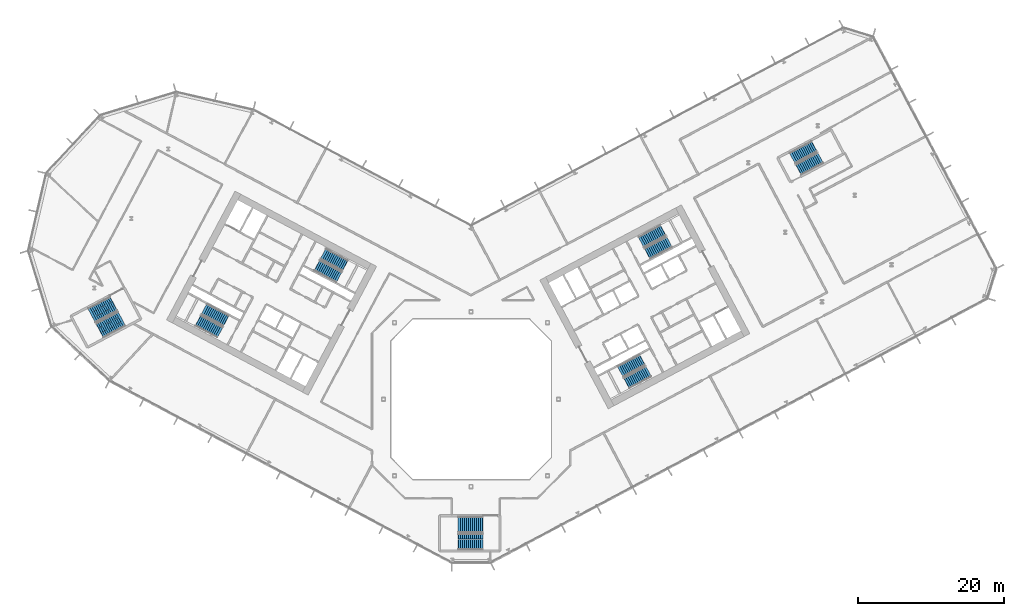
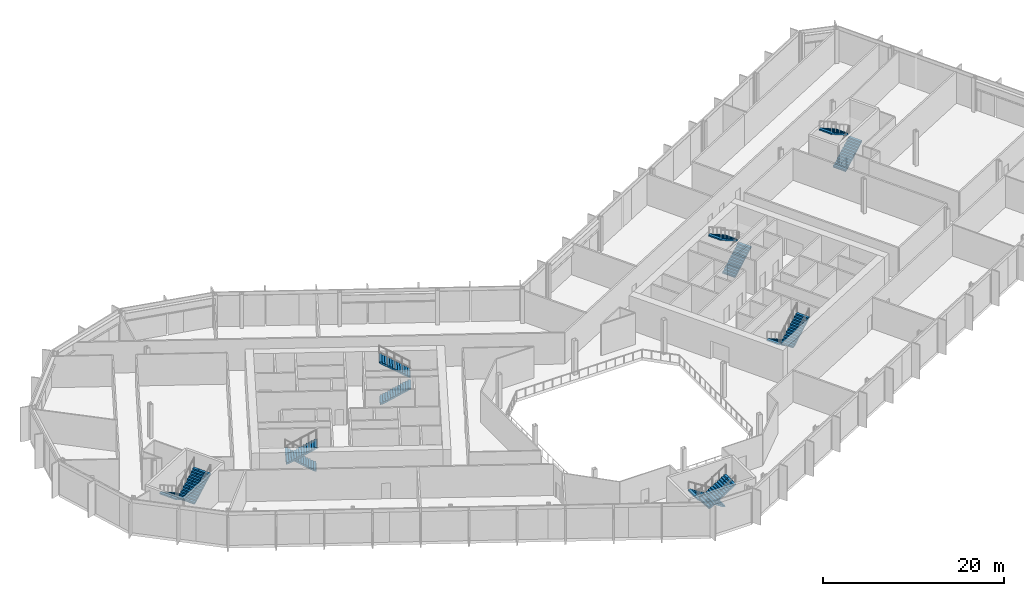
# One storey, part 20 of 31: 14 stair flights, 7 elements without a shape of their own.
"""IFC4 building model written with IfcOpenShell, lengths in metres."""

from ifc_helpers import new_model, si_unit, direction, frame, origin, place, context, subcontext, project, spatial, polyline, outline, extrude, material, type_object, element, aggregate, save


model = new_model("IFC4")

# Units and contexts
model_context = context("Model", 3, precision=1e-05, world=origin(), true_north=direction((0.0, 1.0)))
body_context = subcontext(model_context, "Body", "Model", "MODEL_VIEW")
ifc_project = project(units=[si_unit("LENGTHUNIT", "METRE"), si_unit("AREAUNIT", "SQUARE_METRE"), si_unit("VOLUMEUNIT", "CUBIC_METRE"), si_unit("PLANEANGLEUNIT", "RADIAN"), si_unit("MASSUNIT", "GRAM", prefix="KILO")], contexts=[model_context])

# Site, building, storey
site_placement = place(None, origin())
site = spatial("IfcSite", under=ifc_project, at=site_placement, CompositionType="ELEMENT")
building_placement = place(site_placement, origin())
building = spatial("IfcBuilding", under=site, at=building_placement, Name="Cormorant Relay Tower", CompositionType="ELEMENT")
storey_placement = place(building_placement, frame((0.0, 0.0, 103.0)))
storey = spatial("IfcBuildingStorey", under=building, at=storey_placement, Name="L20", CompositionType="ELEMENT", Elevation=103.0)

# Stair, stair flights
ifc_material_1 = material(Name="Concrete 40 MPa", Category="concrete")
stair_type_1 = type_object("IfcStairType", Name="Exit stair 1500", PredefinedType="HALF_TURN_STAIR", material=ifc_material_1)
stair_1_placement = place(storey_placement, origin())
stair_1 = element("IfcStair", 1, at=stair_1_placement, inside=storey, type_object=stair_type_1, Name="L20 Stair", PredefinedType="HALF_TURN_STAIR")
ifc_material_2 = material(Name="Concrete 40 MPa", Category="concrete")
stair_flight_type_1 = type_object("IfcStairFlightType", Name="Exit stair flight 1650", PredefinedType="STRAIGHT", material=ifc_material_2)
stair_flight_1_placement = place(storey_placement, frame((-21.114501953125, 18.33349609375, 0.0), z_axis=(0.0, 0.0, 1.0), x_axis=(0.882947592859, -0.469471562786, 0.0)))
stair_flight_1 = element("IfcStairFlight", 2, at=stair_flight_1_placement, type_object=stair_flight_type_1, Name="A1 flight 1", NumberOfRisers=13, NumberOfTreads=12, PredefinedType="STRAIGHT", RiserHeight=0.176923077, TreadLength=0.28, context=body_context, shape_type="SweptSolid", body=[
    extrude(outline(polyline([(-0.050048828125, -0.080078125), (-0.050048828125, 0.0), (0.0, 0.0), (0.0, 0.177001953125), (0.280029296875, 0.177001953125), (0.280029296875, 0.353759765625), (0.56005859375, 0.353759765625), (0.56005859375, 0.53076171875), (0.840087890625, 0.53076171875), (0.840087890625, 0.707763671875), (1.1201171875, 0.707763671875), (1.1201171875, 0.884521484375), (1.39990234375, 0.884521484375), (1.39990234375, 1.0615234375), (1.679931640625, 1.0615234375), (1.679931640625, 1.238525390625), (1.9599609375, 1.238525390625), (1.9599609375, 1.415283203125), (2.239990234375, 1.415283203125), (2.239990234375, 1.59228515625), (2.52001953125, 1.59228515625), (2.52001953125, 1.769287109375), (2.800048828125, 1.769287109375), (2.800048828125, 1.946044921875), (3.080078125, 1.946044921875), (3.080078125, 2.123046875), (3.360107421875, 2.123046875), (3.41015625, 2.123046875), (3.41015625, 1.94580078125), (3.360107421875, 1.94580078125), (0.280517578125, 0.0), (-0.050048828125, -0.080078125)])), frame((0.0, 0.824951171875, 0.0), z_axis=(0.0, -1.0, 0.0), x_axis=(1.0, 0.0, 0.0)), (0.0, 0.0, 1.0), 1.64990234375),
])
stair_flight_2_placement = place(storey_placement, frame((-17.302734375, 18.345458984375, 2.300048828125), z_axis=(0.0, 0.0, 1.0), x_axis=(-0.882947592859, 0.469471562786, 0.0)))
stair_flight_2 = element("IfcStairFlight", 3, at=stair_flight_2_placement, type_object=stair_flight_type_1, Name="A1 flight 2", NumberOfRisers=13, NumberOfTreads=12, PredefinedType="STRAIGHT", RiserHeight=0.176923077, TreadLength=0.28, context=body_context, shape_type="SweptSolid", body=[
    extrude(outline(polyline([(-0.050048828125, -0.080078125), (-0.050048828125, 0.0), (0.0, 0.0), (0.0, 0.177001953125), (0.280029296875, 0.177001953125), (0.280029296875, 0.353759765625), (0.56005859375, 0.353759765625), (0.56005859375, 0.53076171875), (0.840087890625, 0.53076171875), (0.840087890625, 0.707763671875), (1.1201171875, 0.707763671875), (1.1201171875, 0.884521484375), (1.39990234375, 0.884521484375), (1.39990234375, 1.0615234375), (1.679931640625, 1.0615234375), (1.679931640625, 1.238525390625), (1.9599609375, 1.238525390625), (1.9599609375, 1.415283203125), (2.239990234375, 1.415283203125), (2.239990234375, 1.59228515625), (2.52001953125, 1.59228515625), (2.52001953125, 1.769287109375), (2.800048828125, 1.769287109375), (2.800048828125, 1.946044921875), (3.080078125, 1.946044921875), (3.080078125, 2.123046875), (3.360107421875, 2.123046875), (3.41015625, 2.123046875), (3.41015625, 1.94580078125), (3.360107421875, 1.94580078125), (0.280517578125, 0.0), (-0.050048828125, -0.080078125)])), frame((0.0, 0.824951171875, 0.0), z_axis=(0.0, -1.0, 0.0), x_axis=(1.0, 0.0, 0.0)), (0.0, 0.0, 1.0), 1.64990234375),
])
aggregate(stair_1, [stair_flight_1, stair_flight_2])

stair_2_placement = place(storey_placement, origin())
stair_2 = element("IfcStair", 4, at=stair_2_placement, inside=storey, type_object=stair_type_1, Name="L20 Stair", PredefinedType="HALF_TURN_STAIR")
stair_flight_3_placement = place(storey_placement, frame((-33.62841796875, 10.773681640625, 0.0), z_axis=(0.0, 0.0, 1.0), x_axis=(-0.882947592859, 0.469471562786, 0.0)))
stair_flight_3 = element("IfcStairFlight", 5, at=stair_flight_3_placement, type_object=stair_flight_type_1, Name="A2 flight 1", NumberOfRisers=13, NumberOfTreads=12, PredefinedType="STRAIGHT", RiserHeight=0.176923077, TreadLength=0.28, context=body_context, shape_type="SweptSolid", body=[
    extrude(outline(polyline([(-0.050048828125, -0.080078125), (-0.050048828125, 0.0), (0.0, 0.0), (0.0, 0.177001953125), (0.280029296875, 0.177001953125), (0.280029296875, 0.353759765625), (0.56005859375, 0.353759765625), (0.56005859375, 0.53076171875), (0.840087890625, 0.53076171875), (0.840087890625, 0.707763671875), (1.1201171875, 0.707763671875), (1.1201171875, 0.884521484375), (1.39990234375, 0.884521484375), (1.39990234375, 1.0615234375), (1.679931640625, 1.0615234375), (1.679931640625, 1.238525390625), (1.9599609375, 1.238525390625), (1.9599609375, 1.415283203125), (2.239990234375, 1.415283203125), (2.239990234375, 1.59228515625), (2.52001953125, 1.59228515625), (2.52001953125, 1.769287109375), (2.800048828125, 1.769287109375), (2.800048828125, 1.946044921875), (3.080078125, 1.946044921875), (3.080078125, 2.123046875), (3.360107421875, 2.123046875), (3.41015625, 2.123046875), (3.41015625, 1.94580078125), (3.360107421875, 1.94580078125), (0.280517578125, 0.0), (-0.050048828125, -0.080078125)])), frame((0.0, 0.824951171875, 0.0), z_axis=(0.0, -1.0, 0.0), x_axis=(1.0, 0.0, 0.0)), (0.0, 0.0, 1.0), 1.64990234375),
])
stair_flight_4_placement = place(storey_placement, frame((-37.440185546875, 10.76171875, 2.300048828125), z_axis=(0.0, 0.0, 1.0), x_axis=(0.882947592859, -0.469471562786, 0.0)))
stair_flight_4 = element("IfcStairFlight", 6, at=stair_flight_4_placement, type_object=stair_flight_type_1, Name="A2 flight 2", NumberOfRisers=13, NumberOfTreads=12, PredefinedType="STRAIGHT", RiserHeight=0.176923077, TreadLength=0.28, context=body_context, shape_type="SweptSolid", body=[
    extrude(outline(polyline([(-0.050048828125, -0.080078125), (-0.050048828125, 0.0), (0.0, 0.0), (0.0, 0.177001953125), (0.280029296875, 0.177001953125), (0.280029296875, 0.353759765625), (0.56005859375, 0.353759765625), (0.56005859375, 0.53076171875), (0.840087890625, 0.53076171875), (0.840087890625, 0.707763671875), (1.1201171875, 0.707763671875), (1.1201171875, 0.884521484375), (1.39990234375, 0.884521484375), (1.39990234375, 1.0615234375), (1.679931640625, 1.0615234375), (1.679931640625, 1.238525390625), (1.9599609375, 1.238525390625), (1.9599609375, 1.415283203125), (2.239990234375, 1.415283203125), (2.239990234375, 1.59228515625), (2.52001953125, 1.59228515625), (2.52001953125, 1.769287109375), (2.800048828125, 1.769287109375), (2.800048828125, 1.946044921875), (3.080078125, 1.946044921875), (3.080078125, 2.123046875), (3.360107421875, 2.123046875), (3.41015625, 2.123046875), (3.41015625, 1.94580078125), (3.360107421875, 1.94580078125), (0.280517578125, 0.0), (-0.050048828125, -0.080078125)])), frame((0.0, 0.824951171875, 0.0), z_axis=(0.0, -1.0, 0.0), x_axis=(1.0, 0.0, 0.0)), (0.0, 0.0, 1.0), 1.64990234375),
])
aggregate(stair_2, [stair_flight_3, stair_flight_4])

stair_3_placement = place(storey_placement, origin())
stair_3 = element("IfcStair", 7, at=stair_3_placement, inside=storey, type_object=stair_type_1, Name="L20 Stair", PredefinedType="HALF_TURN_STAIR")
stair_flight_5_placement = place(storey_placement, frame((23.474365234375, 5.374755859375, 0.0), z_axis=(0.0, 0.0, 1.0), x_axis=(-0.882947592859, -0.469471562786, 0.0)))
stair_flight_5 = element("IfcStairFlight", 8, at=stair_flight_5_placement, type_object=stair_flight_type_1, Name="B1 flight 1", NumberOfRisers=13, NumberOfTreads=12, PredefinedType="STRAIGHT", RiserHeight=0.176923077, TreadLength=0.28, context=body_context, shape_type="SweptSolid", body=[
    extrude(outline(polyline([(-0.050048828125, -0.080078125), (-0.050048828125, 0.0), (0.0, 0.0), (0.0, 0.177001953125), (0.280029296875, 0.177001953125), (0.280029296875, 0.353759765625), (0.56005859375, 0.353759765625), (0.56005859375, 0.53076171875), (0.840087890625, 0.53076171875), (0.840087890625, 0.707763671875), (1.1201171875, 0.707763671875), (1.1201171875, 0.884521484375), (1.39990234375, 0.884521484375), (1.39990234375, 1.0615234375), (1.679931640625, 1.0615234375), (1.679931640625, 1.238525390625), (1.9599609375, 1.238525390625), (1.9599609375, 1.415283203125), (2.239990234375, 1.415283203125), (2.239990234375, 1.59228515625), (2.52001953125, 1.59228515625), (2.52001953125, 1.769287109375), (2.800048828125, 1.769287109375), (2.800048828125, 1.946044921875), (3.080078125, 1.946044921875), (3.080078125, 2.123046875), (3.360107421875, 2.123046875), (3.41015625, 2.123046875), (3.41015625, 1.94580078125), (3.360107421875, 1.94580078125), (0.280517578125, 0.0), (-0.050048828125, -0.080078125)])), frame((0.0, 0.824951171875, 0.0), z_axis=(0.0, -1.0, 0.0), x_axis=(1.0, 0.0, 0.0)), (0.0, 0.0, 1.0), 1.64990234375),
])
stair_flight_6_placement = place(storey_placement, frame((21.352783203125, 2.2080078125, 2.300048828125), z_axis=(0.0, 0.0, 1.0), x_axis=(0.882947592859, 0.469471562786, 0.0)))
stair_flight_6 = element("IfcStairFlight", 9, at=stair_flight_6_placement, type_object=stair_flight_type_1, Name="B1 flight 2", NumberOfRisers=13, NumberOfTreads=12, PredefinedType="STRAIGHT", RiserHeight=0.176923077, TreadLength=0.28, context=body_context, shape_type="SweptSolid", body=[
    extrude(outline(polyline([(-0.050048828125, -0.080078125), (-0.050048828125, 0.0), (0.0, 0.0), (0.0, 0.177001953125), (0.280029296875, 0.177001953125), (0.280029296875, 0.353759765625), (0.56005859375, 0.353759765625), (0.56005859375, 0.53076171875), (0.840087890625, 0.53076171875), (0.840087890625, 0.707763671875), (1.1201171875, 0.707763671875), (1.1201171875, 0.884521484375), (1.39990234375, 0.884521484375), (1.39990234375, 1.0615234375), (1.679931640625, 1.0615234375), (1.679931640625, 1.238525390625), (1.9599609375, 1.238525390625), (1.9599609375, 1.415283203125), (2.239990234375, 1.415283203125), (2.239990234375, 1.59228515625), (2.52001953125, 1.59228515625), (2.52001953125, 1.769287109375), (2.800048828125, 1.769287109375), (2.800048828125, 1.946044921875), (3.080078125, 1.946044921875), (3.080078125, 2.123046875), (3.360107421875, 2.123046875), (3.41015625, 2.123046875), (3.41015625, 1.94580078125), (3.360107421875, 1.94580078125), (0.280517578125, 0.0), (-0.050048828125, -0.080078125)])), frame((0.0, 0.824951171875, 0.0), z_axis=(0.0, -1.0, 0.0), x_axis=(1.0, 0.0, 0.0)), (0.0, 0.0, 1.0), 1.64990234375),
])
aggregate(stair_3, [stair_flight_5, stair_flight_6])

stair_4_placement = place(storey_placement, origin())
stair_4 = element("IfcStair", 10, at=stair_4_placement, inside=storey, type_object=stair_type_1, Name="L20 Stair", PredefinedType="HALF_TURN_STAIR")
stair_flight_7_placement = place(storey_placement, frame((24.20458984375, 19.976806640625, 0.0), z_axis=(0.0, 0.0, 1.0), x_axis=(0.882947592859, 0.469471562786, 0.0)))
stair_flight_7 = element("IfcStairFlight", 11, at=stair_flight_7_placement, type_object=stair_flight_type_1, Name="B2 flight 1", NumberOfRisers=13, NumberOfTreads=12, PredefinedType="STRAIGHT", RiserHeight=0.176923077, TreadLength=0.28, context=body_context, shape_type="SweptSolid", body=[
    extrude(outline(polyline([(-0.050048828125, -0.080078125), (-0.050048828125, 0.0), (0.0, 0.0), (0.0, 0.177001953125), (0.280029296875, 0.177001953125), (0.280029296875, 0.353759765625), (0.56005859375, 0.353759765625), (0.56005859375, 0.53076171875), (0.840087890625, 0.53076171875), (0.840087890625, 0.707763671875), (1.1201171875, 0.707763671875), (1.1201171875, 0.884521484375), (1.39990234375, 0.884521484375), (1.39990234375, 1.0615234375), (1.679931640625, 1.0615234375), (1.679931640625, 1.238525390625), (1.9599609375, 1.238525390625), (1.9599609375, 1.415283203125), (2.239990234375, 1.415283203125), (2.239990234375, 1.59228515625), (2.52001953125, 1.59228515625), (2.52001953125, 1.769287109375), (2.800048828125, 1.769287109375), (2.800048828125, 1.946044921875), (3.080078125, 1.946044921875), (3.080078125, 2.123046875), (3.360107421875, 2.123046875), (3.41015625, 2.123046875), (3.41015625, 1.94580078125), (3.360107421875, 1.94580078125), (0.280517578125, 0.0), (-0.050048828125, -0.080078125)])), frame((0.0, 0.824951171875, 0.0), z_axis=(0.0, -1.0, 0.0), x_axis=(1.0, 0.0, 0.0)), (0.0, 0.0, 1.0), 1.64990234375),
])
stair_flight_8_placement = place(storey_placement, frame((26.326416015625, 23.1435546875, 2.300048828125), z_axis=(0.0, 0.0, 1.0), x_axis=(-0.882947592859, -0.469471562786, 0.0)))
stair_flight_8 = element("IfcStairFlight", 12, at=stair_flight_8_placement, type_object=stair_flight_type_1, Name="B2 flight 2", NumberOfRisers=13, NumberOfTreads=12, PredefinedType="STRAIGHT", RiserHeight=0.176923077, TreadLength=0.28, context=body_context, shape_type="SweptSolid", body=[
    extrude(outline(polyline([(-0.050048828125, -0.080078125), (-0.050048828125, 0.0), (0.0, 0.0), (0.0, 0.177001953125), (0.280029296875, 0.177001953125), (0.280029296875, 0.353759765625), (0.56005859375, 0.353759765625), (0.56005859375, 0.53076171875), (0.840087890625, 0.53076171875), (0.840087890625, 0.707763671875), (1.1201171875, 0.707763671875), (1.1201171875, 0.884521484375), (1.39990234375, 0.884521484375), (1.39990234375, 1.0615234375), (1.679931640625, 1.0615234375), (1.679931640625, 1.238525390625), (1.9599609375, 1.238525390625), (1.9599609375, 1.415283203125), (2.239990234375, 1.415283203125), (2.239990234375, 1.59228515625), (2.52001953125, 1.59228515625), (2.52001953125, 1.769287109375), (2.800048828125, 1.769287109375), (2.800048828125, 1.946044921875), (3.080078125, 1.946044921875), (3.080078125, 2.123046875), (3.360107421875, 2.123046875), (3.41015625, 2.123046875), (3.41015625, 1.94580078125), (3.360107421875, 1.94580078125), (0.280517578125, 0.0), (-0.050048828125, -0.080078125)])), frame((0.0, 0.824951171875, 0.0), z_axis=(0.0, -1.0, 0.0), x_axis=(1.0, 0.0, 0.0)), (0.0, 0.0, 1.0), 1.64990234375),
])
aggregate(stair_4, [stair_flight_7, stair_flight_8])

stair_5_placement = place(storey_placement, origin())
stair_5 = element("IfcStair", 13, at=stair_5_placement, inside=storey, type_object=stair_type_1, Name="L20 Stair", PredefinedType="HALF_TURN_STAIR")
stair_flight_9_placement = place(storey_placement, frame((44.947509765625, 31.502197265625, 0.0), z_axis=(0.0, 0.0, 1.0), x_axis=(0.882947502727, 0.4694717323, 0.0)))
stair_flight_9 = element("IfcStairFlight", 14, at=stair_flight_9_placement, type_object=stair_flight_type_1, Name="RB1 flight 1", NumberOfRisers=13, NumberOfTreads=12, PredefinedType="STRAIGHT", RiserHeight=0.176923077, TreadLength=0.28, context=body_context, shape_type="SweptSolid", body=[
    extrude(outline(polyline([(-0.050048828125, -0.080078125), (-0.050048828125, 0.0), (0.0, 0.0), (0.0, 0.177001953125), (0.280029296875, 0.177001953125), (0.280029296875, 0.353759765625), (0.56005859375, 0.353759765625), (0.56005859375, 0.53076171875), (0.840087890625, 0.53076171875), (0.840087890625, 0.707763671875), (1.1201171875, 0.707763671875), (1.1201171875, 0.884521484375), (1.39990234375, 0.884521484375), (1.39990234375, 1.0615234375), (1.679931640625, 1.0615234375), (1.679931640625, 1.238525390625), (1.9599609375, 1.238525390625), (1.9599609375, 1.415283203125), (2.239990234375, 1.415283203125), (2.239990234375, 1.59228515625), (2.52001953125, 1.59228515625), (2.52001953125, 1.769287109375), (2.800048828125, 1.769287109375), (2.800048828125, 1.946044921875), (3.080078125, 1.946044921875), (3.080078125, 2.123046875), (3.360107421875, 2.123046875), (3.41015625, 2.123046875), (3.41015625, 1.94580078125), (3.360107421875, 1.94580078125), (0.280517578125, 0.0), (-0.050048828125, -0.080078125)])), frame((0.0, 0.824951171875, 0.0), z_axis=(0.0, -1.0, 0.0), x_axis=(1.0, 0.0, 0.0)), (0.0, 0.0, 1.0), 1.64990234375),
])
stair_flight_10_placement = place(storey_placement, frame((47.0693359375, 34.668701171875, 2.300048828125), z_axis=(0.0, 0.0, 1.0), x_axis=(-0.882947502727, -0.4694717323, 0.0)))
stair_flight_10 = element("IfcStairFlight", 15, at=stair_flight_10_placement, type_object=stair_flight_type_1, Name="RB1 flight 2", NumberOfRisers=13, NumberOfTreads=12, PredefinedType="STRAIGHT", RiserHeight=0.176923077, TreadLength=0.28, context=body_context, shape_type="SweptSolid", body=[
    extrude(outline(polyline([(-0.050048828125, -0.080078125), (-0.050048828125, 0.0), (0.0, 0.0), (0.0, 0.177001953125), (0.280029296875, 0.177001953125), (0.280029296875, 0.353759765625), (0.56005859375, 0.353759765625), (0.56005859375, 0.53076171875), (0.840087890625, 0.53076171875), (0.840087890625, 0.707763671875), (1.1201171875, 0.707763671875), (1.1201171875, 0.884521484375), (1.39990234375, 0.884521484375), (1.39990234375, 1.0615234375), (1.679931640625, 1.0615234375), (1.679931640625, 1.238525390625), (1.9599609375, 1.238525390625), (1.9599609375, 1.415283203125), (2.239990234375, 1.415283203125), (2.239990234375, 1.59228515625), (2.52001953125, 1.59228515625), (2.52001953125, 1.769287109375), (2.800048828125, 1.769287109375), (2.800048828125, 1.946044921875), (3.080078125, 1.946044921875), (3.080078125, 2.123046875), (3.360107421875, 2.123046875), (3.41015625, 2.123046875), (3.41015625, 1.94580078125), (3.360107421875, 1.94580078125), (0.280517578125, 0.0), (-0.050048828125, -0.080078125)])), frame((0.0, 0.824951171875, 0.0), z_axis=(0.0, -1.0, 0.0), x_axis=(1.0, 0.0, 0.0)), (0.0, 0.0, 1.0), 1.64990234375),
])
aggregate(stair_5, [stair_flight_9, stair_flight_10])

ifc_material_3 = material(Name="Concrete 40 MPa", Category="concrete")
stair_type_2 = type_object("IfcStairType", Name="Remote exit stair 2200", PredefinedType="HALF_TURN_STAIR", material=ifc_material_3)
stair_6_placement = place(storey_placement, origin())
stair_6 = element("IfcStair", 16, at=stair_6_placement, inside=storey, type_object=stair_type_2, Name="L20 Stair", PredefinedType="HALF_TURN_STAIR")
ifc_material_4 = material(Name="Concrete 40 MPa", Category="concrete")
stair_flight_type_2 = type_object("IfcStairFlightType", Name="Remote exit stair flight 2200", PredefinedType="STRAIGHT", material=ifc_material_4)
stair_flight_11_placement = place(storey_placement, frame((1.60009765625, -17.22509765625, 0.0), z_axis=(0.0, 0.0, 1.0), x_axis=(-1.0, 0.0, 0.0)))
stair_flight_11 = element("IfcStairFlight", 17, at=stair_flight_11_placement, type_object=stair_flight_type_2, Name="RK1 flight 1", NumberOfRisers=13, NumberOfTreads=12, PredefinedType="STRAIGHT", RiserHeight=0.176923077, TreadLength=0.28, context=body_context, shape_type="SweptSolid", body=[
    extrude(outline(polyline([(-0.050048828125, -0.080078125), (-0.050048828125, 0.0), (0.0, 0.0), (0.0, 0.177001953125), (0.280029296875, 0.177001953125), (0.280029296875, 0.353759765625), (0.56005859375, 0.353759765625), (0.56005859375, 0.53076171875), (0.840087890625, 0.53076171875), (0.840087890625, 0.707763671875), (1.1201171875, 0.707763671875), (1.1201171875, 0.884521484375), (1.39990234375, 0.884521484375), (1.39990234375, 1.0615234375), (1.679931640625, 1.0615234375), (1.679931640625, 1.238525390625), (1.9599609375, 1.238525390625), (1.9599609375, 1.415283203125), (2.239990234375, 1.415283203125), (2.239990234375, 1.59228515625), (2.52001953125, 1.59228515625), (2.52001953125, 1.769287109375), (2.800048828125, 1.769287109375), (2.800048828125, 1.946044921875), (3.080078125, 1.946044921875), (3.080078125, 2.123046875), (3.360107421875, 2.123046875), (3.41015625, 2.123046875), (3.41015625, 1.94580078125), (3.360107421875, 1.94580078125), (0.280517578125, 0.0), (-0.050048828125, -0.080078125)])), frame((0.0, 1.10009765625, 0.0), z_axis=(0.0, -1.0, 0.0), x_axis=(1.0, 0.0, 0.0)), (0.0, 0.0, 1.0), 0.719970703125),
    extrude(outline(polyline([(-0.050048828125, -0.080078125), (-0.050048828125, 0.0), (0.0, 0.0), (0.0, 0.177001953125), (0.280029296875, 0.177001953125), (0.280029296875, 0.353759765625), (0.56005859375, 0.353759765625), (0.56005859375, 0.53076171875), (0.840087890625, 0.53076171875), (0.840087890625, 0.707763671875), (1.1201171875, 0.707763671875), (1.1201171875, 0.884521484375), (1.39990234375, 0.884521484375), (1.39990234375, 1.0615234375), (1.679931640625, 1.0615234375), (1.679931640625, 1.238525390625), (1.9599609375, 1.238525390625), (1.9599609375, 1.415283203125), (2.239990234375, 1.415283203125), (2.239990234375, 1.59228515625), (2.52001953125, 1.59228515625), (2.52001953125, 1.769287109375), (2.800048828125, 1.769287109375), (2.800048828125, 1.946044921875), (3.080078125, 1.946044921875), (3.080078125, 2.123046875), (3.360107421875, 2.123046875), (3.41015625, 2.123046875), (3.41015625, 1.94580078125), (3.360107421875, 1.94580078125), (0.280517578125, 0.0), (-0.050048828125, -0.080078125)])), frame((0.0, 0.360107421875, 0.0), z_axis=(0.0, -1.0, 0.0), x_axis=(1.0, 0.0, 0.0)), (0.0, 0.0, 1.0), 0.719970703125),
    extrude(outline(polyline([(-0.050048828125, -0.080078125), (-0.050048828125, 0.0), (0.0, 0.0), (0.0, 0.177001953125), (0.280029296875, 0.177001953125), (0.280029296875, 0.353759765625), (0.56005859375, 0.353759765625), (0.56005859375, 0.53076171875), (0.840087890625, 0.53076171875), (0.840087890625, 0.707763671875), (1.1201171875, 0.707763671875), (1.1201171875, 0.884521484375), (1.39990234375, 0.884521484375), (1.39990234375, 1.0615234375), (1.679931640625, 1.0615234375), (1.679931640625, 1.238525390625), (1.9599609375, 1.238525390625), (1.9599609375, 1.415283203125), (2.239990234375, 1.415283203125), (2.239990234375, 1.59228515625), (2.52001953125, 1.59228515625), (2.52001953125, 1.769287109375), (2.800048828125, 1.769287109375), (2.800048828125, 1.946044921875), (3.080078125, 1.946044921875), (3.080078125, 2.123046875), (3.360107421875, 2.123046875), (3.41015625, 2.123046875), (3.41015625, 1.94580078125), (3.360107421875, 1.94580078125), (0.280517578125, 0.0), (-0.050048828125, -0.080078125)])), frame((0.0, -0.3798828125, 0.0), z_axis=(0.0, -1.0, 0.0), x_axis=(1.0, 0.0, 0.0)), (0.0, 0.0, 1.0), 0.719970703125),
])
stair_flight_12_placement = place(storey_placement, frame((-1.760009765625, -19.574951171875, 2.300048828125), z_axis=(0.0, 0.0, 1.0), x_axis=(1.0, 0.0, 0.0)))
stair_flight_12 = element("IfcStairFlight", 18, at=stair_flight_12_placement, type_object=stair_flight_type_2, Name="RK1 flight 2", NumberOfRisers=13, NumberOfTreads=12, PredefinedType="STRAIGHT", RiserHeight=0.176923077, TreadLength=0.28, context=body_context, shape_type="SweptSolid", body=[
    extrude(outline(polyline([(-0.050048828125, -0.080078125), (-0.050048828125, 0.0), (0.0, 0.0), (0.0, 0.177001953125), (0.280029296875, 0.177001953125), (0.280029296875, 0.353759765625), (0.56005859375, 0.353759765625), (0.56005859375, 0.53076171875), (0.840087890625, 0.53076171875), (0.840087890625, 0.707763671875), (1.1201171875, 0.707763671875), (1.1201171875, 0.884521484375), (1.39990234375, 0.884521484375), (1.39990234375, 1.0615234375), (1.679931640625, 1.0615234375), (1.679931640625, 1.238525390625), (1.9599609375, 1.238525390625), (1.9599609375, 1.415283203125), (2.239990234375, 1.415283203125), (2.239990234375, 1.59228515625), (2.52001953125, 1.59228515625), (2.52001953125, 1.769287109375), (2.800048828125, 1.769287109375), (2.800048828125, 1.946044921875), (3.080078125, 1.946044921875), (3.080078125, 2.123046875), (3.360107421875, 2.123046875), (3.41015625, 2.123046875), (3.41015625, 1.94580078125), (3.360107421875, 1.94580078125), (0.280517578125, 0.0), (-0.050048828125, -0.080078125)])), frame((0.0, 1.10009765625, 0.0), z_axis=(0.0, -1.0, 0.0), x_axis=(1.0, 0.0, 0.0)), (0.0, 0.0, 1.0), 0.719970703125),
    extrude(outline(polyline([(-0.050048828125, -0.080078125), (-0.050048828125, 0.0), (0.0, 0.0), (0.0, 0.177001953125), (0.280029296875, 0.177001953125), (0.280029296875, 0.353759765625), (0.56005859375, 0.353759765625), (0.56005859375, 0.53076171875), (0.840087890625, 0.53076171875), (0.840087890625, 0.707763671875), (1.1201171875, 0.707763671875), (1.1201171875, 0.884521484375), (1.39990234375, 0.884521484375), (1.39990234375, 1.0615234375), (1.679931640625, 1.0615234375), (1.679931640625, 1.238525390625), (1.9599609375, 1.238525390625), (1.9599609375, 1.415283203125), (2.239990234375, 1.415283203125), (2.239990234375, 1.59228515625), (2.52001953125, 1.59228515625), (2.52001953125, 1.769287109375), (2.800048828125, 1.769287109375), (2.800048828125, 1.946044921875), (3.080078125, 1.946044921875), (3.080078125, 2.123046875), (3.360107421875, 2.123046875), (3.41015625, 2.123046875), (3.41015625, 1.94580078125), (3.360107421875, 1.94580078125), (0.280517578125, 0.0), (-0.050048828125, -0.080078125)])), frame((0.0, 0.360107421875, 0.0), z_axis=(0.0, -1.0, 0.0), x_axis=(1.0, 0.0, 0.0)), (0.0, 0.0, 1.0), 0.719970703125),
    extrude(outline(polyline([(-0.050048828125, -0.080078125), (-0.050048828125, 0.0), (0.0, 0.0), (0.0, 0.177001953125), (0.280029296875, 0.177001953125), (0.280029296875, 0.353759765625), (0.56005859375, 0.353759765625), (0.56005859375, 0.53076171875), (0.840087890625, 0.53076171875), (0.840087890625, 0.707763671875), (1.1201171875, 0.707763671875), (1.1201171875, 0.884521484375), (1.39990234375, 0.884521484375), (1.39990234375, 1.0615234375), (1.679931640625, 1.0615234375), (1.679931640625, 1.238525390625), (1.9599609375, 1.238525390625), (1.9599609375, 1.415283203125), (2.239990234375, 1.415283203125), (2.239990234375, 1.59228515625), (2.52001953125, 1.59228515625), (2.52001953125, 1.769287109375), (2.800048828125, 1.769287109375), (2.800048828125, 1.946044921875), (3.080078125, 1.946044921875), (3.080078125, 2.123046875), (3.360107421875, 2.123046875), (3.41015625, 2.123046875), (3.41015625, 1.94580078125), (3.360107421875, 1.94580078125), (0.280517578125, 0.0), (-0.050048828125, -0.080078125)])), frame((0.0, -0.3798828125, 0.0), z_axis=(0.0, -1.0, 0.0), x_axis=(1.0, 0.0, 0.0)), (0.0, 0.0, 1.0), 0.719970703125),
])
aggregate(stair_6, [stair_flight_11, stair_flight_12])

stair_7_placement = place(storey_placement, origin())
stair_7 = element("IfcStair", 19, at=stair_7_placement, inside=storey, type_object=stair_type_2, Name="L20 Stair", PredefinedType="HALF_TURN_STAIR")
stair_flight_13_placement = place(storey_placement, frame((-49.062255859375, 13.08251953125, 0.0), z_axis=(0.0, 0.0, 1.0), x_axis=(-0.882947502727, -0.4694717323, 0.0)))
stair_flight_13 = element("IfcStairFlight", 20, at=stair_flight_13_placement, type_object=stair_flight_type_2, Name="RP1 flight 1", NumberOfRisers=13, NumberOfTreads=12, PredefinedType="STRAIGHT", RiserHeight=0.176923077, TreadLength=0.28, context=body_context, shape_type="SweptSolid", body=[
    extrude(outline(polyline([(-0.050048828125, -0.080078125), (-0.050048828125, 0.0), (0.0, 0.0), (0.0, 0.177001953125), (0.280029296875, 0.177001953125), (0.280029296875, 0.353759765625), (0.56005859375, 0.353759765625), (0.56005859375, 0.53076171875), (0.840087890625, 0.53076171875), (0.840087890625, 0.707763671875), (1.1201171875, 0.707763671875), (1.1201171875, 0.884521484375), (1.39990234375, 0.884521484375), (1.39990234375, 1.0615234375), (1.679931640625, 1.0615234375), (1.679931640625, 1.238525390625), (1.9599609375, 1.238525390625), (1.9599609375, 1.415283203125), (2.239990234375, 1.415283203125), (2.239990234375, 1.59228515625), (2.52001953125, 1.59228515625), (2.52001953125, 1.769287109375), (2.800048828125, 1.769287109375), (2.800048828125, 1.946044921875), (3.080078125, 1.946044921875), (3.080078125, 2.123046875), (3.360107421875, 2.123046875), (3.41015625, 2.123046875), (3.41015625, 1.94580078125), (3.360107421875, 1.94580078125), (0.280517578125, 0.0), (-0.050048828125, -0.080078125)])), frame((0.0, 1.10009765625, 0.0), z_axis=(0.0, -1.0, 0.0), x_axis=(1.0, 0.0, 0.0)), (0.0, 0.0, 1.0), 0.719970703125),
    extrude(outline(polyline([(-0.050048828125, -0.080078125), (-0.050048828125, 0.0), (0.0, 0.0), (0.0, 0.177001953125), (0.280029296875, 0.177001953125), (0.280029296875, 0.353759765625), (0.56005859375, 0.353759765625), (0.56005859375, 0.53076171875), (0.840087890625, 0.53076171875), (0.840087890625, 0.707763671875), (1.1201171875, 0.707763671875), (1.1201171875, 0.884521484375), (1.39990234375, 0.884521484375), (1.39990234375, 1.0615234375), (1.679931640625, 1.0615234375), (1.679931640625, 1.238525390625), (1.9599609375, 1.238525390625), (1.9599609375, 1.415283203125), (2.239990234375, 1.415283203125), (2.239990234375, 1.59228515625), (2.52001953125, 1.59228515625), (2.52001953125, 1.769287109375), (2.800048828125, 1.769287109375), (2.800048828125, 1.946044921875), (3.080078125, 1.946044921875), (3.080078125, 2.123046875), (3.360107421875, 2.123046875), (3.41015625, 2.123046875), (3.41015625, 1.94580078125), (3.360107421875, 1.94580078125), (0.280517578125, 0.0), (-0.050048828125, -0.080078125)])), frame((0.0, 0.360107421875, 0.0), z_axis=(0.0, -1.0, 0.0), x_axis=(1.0, 0.0, 0.0)), (0.0, 0.0, 1.0), 0.719970703125),
    extrude(outline(polyline([(-0.050048828125, -0.080078125), (-0.050048828125, 0.0), (0.0, 0.0), (0.0, 0.177001953125), (0.280029296875, 0.177001953125), (0.280029296875, 0.353759765625), (0.56005859375, 0.353759765625), (0.56005859375, 0.53076171875), (0.840087890625, 0.53076171875), (0.840087890625, 0.707763671875), (1.1201171875, 0.707763671875), (1.1201171875, 0.884521484375), (1.39990234375, 0.884521484375), (1.39990234375, 1.0615234375), (1.679931640625, 1.0615234375), (1.679931640625, 1.238525390625), (1.9599609375, 1.238525390625), (1.9599609375, 1.415283203125), (2.239990234375, 1.415283203125), (2.239990234375, 1.59228515625), (2.52001953125, 1.59228515625), (2.52001953125, 1.769287109375), (2.800048828125, 1.769287109375), (2.800048828125, 1.946044921875), (3.080078125, 1.946044921875), (3.080078125, 2.123046875), (3.360107421875, 2.123046875), (3.41015625, 2.123046875), (3.41015625, 1.94580078125), (3.360107421875, 1.94580078125), (0.280517578125, 0.0), (-0.050048828125, -0.080078125)])), frame((0.0, -0.3798828125, 0.0), z_axis=(0.0, -1.0, 0.0), x_axis=(1.0, 0.0, 0.0)), (0.0, 0.0, 1.0), 0.719970703125),
])
stair_flight_14_placement = place(storey_placement, frame((-50.92578125, 9.43017578125, 2.300048828125), z_axis=(0.0, 0.0, 1.0), x_axis=(0.882947502727, 0.4694717323, 0.0)))
stair_flight_14 = element("IfcStairFlight", 21, at=stair_flight_14_placement, type_object=stair_flight_type_2, Name="RP1 flight 2", NumberOfRisers=13, NumberOfTreads=12, PredefinedType="STRAIGHT", RiserHeight=0.176923077, TreadLength=0.28, context=body_context, shape_type="SweptSolid", body=[
    extrude(outline(polyline([(-0.050048828125, -0.080078125), (-0.050048828125, 0.0), (0.0, 0.0), (0.0, 0.177001953125), (0.280029296875, 0.177001953125), (0.280029296875, 0.353759765625), (0.56005859375, 0.353759765625), (0.56005859375, 0.53076171875), (0.840087890625, 0.53076171875), (0.840087890625, 0.707763671875), (1.1201171875, 0.707763671875), (1.1201171875, 0.884521484375), (1.39990234375, 0.884521484375), (1.39990234375, 1.0615234375), (1.679931640625, 1.0615234375), (1.679931640625, 1.238525390625), (1.9599609375, 1.238525390625), (1.9599609375, 1.415283203125), (2.239990234375, 1.415283203125), (2.239990234375, 1.59228515625), (2.52001953125, 1.59228515625), (2.52001953125, 1.769287109375), (2.800048828125, 1.769287109375), (2.800048828125, 1.946044921875), (3.080078125, 1.946044921875), (3.080078125, 2.123046875), (3.360107421875, 2.123046875), (3.41015625, 2.123046875), (3.41015625, 1.94580078125), (3.360107421875, 1.94580078125), (0.280517578125, 0.0), (-0.050048828125, -0.080078125)])), frame((0.0, 1.10009765625, 0.0), z_axis=(0.0, -1.0, 0.0), x_axis=(1.0, 0.0, 0.0)), (0.0, 0.0, 1.0), 0.719970703125),
    extrude(outline(polyline([(-0.050048828125, -0.080078125), (-0.050048828125, 0.0), (0.0, 0.0), (0.0, 0.177001953125), (0.280029296875, 0.177001953125), (0.280029296875, 0.353759765625), (0.56005859375, 0.353759765625), (0.56005859375, 0.53076171875), (0.840087890625, 0.53076171875), (0.840087890625, 0.707763671875), (1.1201171875, 0.707763671875), (1.1201171875, 0.884521484375), (1.39990234375, 0.884521484375), (1.39990234375, 1.0615234375), (1.679931640625, 1.0615234375), (1.679931640625, 1.238525390625), (1.9599609375, 1.238525390625), (1.9599609375, 1.415283203125), (2.239990234375, 1.415283203125), (2.239990234375, 1.59228515625), (2.52001953125, 1.59228515625), (2.52001953125, 1.769287109375), (2.800048828125, 1.769287109375), (2.800048828125, 1.946044921875), (3.080078125, 1.946044921875), (3.080078125, 2.123046875), (3.360107421875, 2.123046875), (3.41015625, 2.123046875), (3.41015625, 1.94580078125), (3.360107421875, 1.94580078125), (0.280517578125, 0.0), (-0.050048828125, -0.080078125)])), frame((0.0, 0.360107421875, 0.0), z_axis=(0.0, -1.0, 0.0), x_axis=(1.0, 0.0, 0.0)), (0.0, 0.0, 1.0), 0.719970703125),
    extrude(outline(polyline([(-0.050048828125, -0.080078125), (-0.050048828125, 0.0), (0.0, 0.0), (0.0, 0.177001953125), (0.280029296875, 0.177001953125), (0.280029296875, 0.353759765625), (0.56005859375, 0.353759765625), (0.56005859375, 0.53076171875), (0.840087890625, 0.53076171875), (0.840087890625, 0.707763671875), (1.1201171875, 0.707763671875), (1.1201171875, 0.884521484375), (1.39990234375, 0.884521484375), (1.39990234375, 1.0615234375), (1.679931640625, 1.0615234375), (1.679931640625, 1.238525390625), (1.9599609375, 1.238525390625), (1.9599609375, 1.415283203125), (2.239990234375, 1.415283203125), (2.239990234375, 1.59228515625), (2.52001953125, 1.59228515625), (2.52001953125, 1.769287109375), (2.800048828125, 1.769287109375), (2.800048828125, 1.946044921875), (3.080078125, 1.946044921875), (3.080078125, 2.123046875), (3.360107421875, 2.123046875), (3.41015625, 2.123046875), (3.41015625, 1.94580078125), (3.360107421875, 1.94580078125), (0.280517578125, 0.0), (-0.050048828125, -0.080078125)])), frame((0.0, -0.3798828125, 0.0), z_axis=(0.0, -1.0, 0.0), x_axis=(1.0, 0.0, 0.0)), (0.0, 0.0, 1.0), 0.719970703125),
])
aggregate(stair_7, [stair_flight_13, stair_flight_14])

save(model, "model.ifc")
